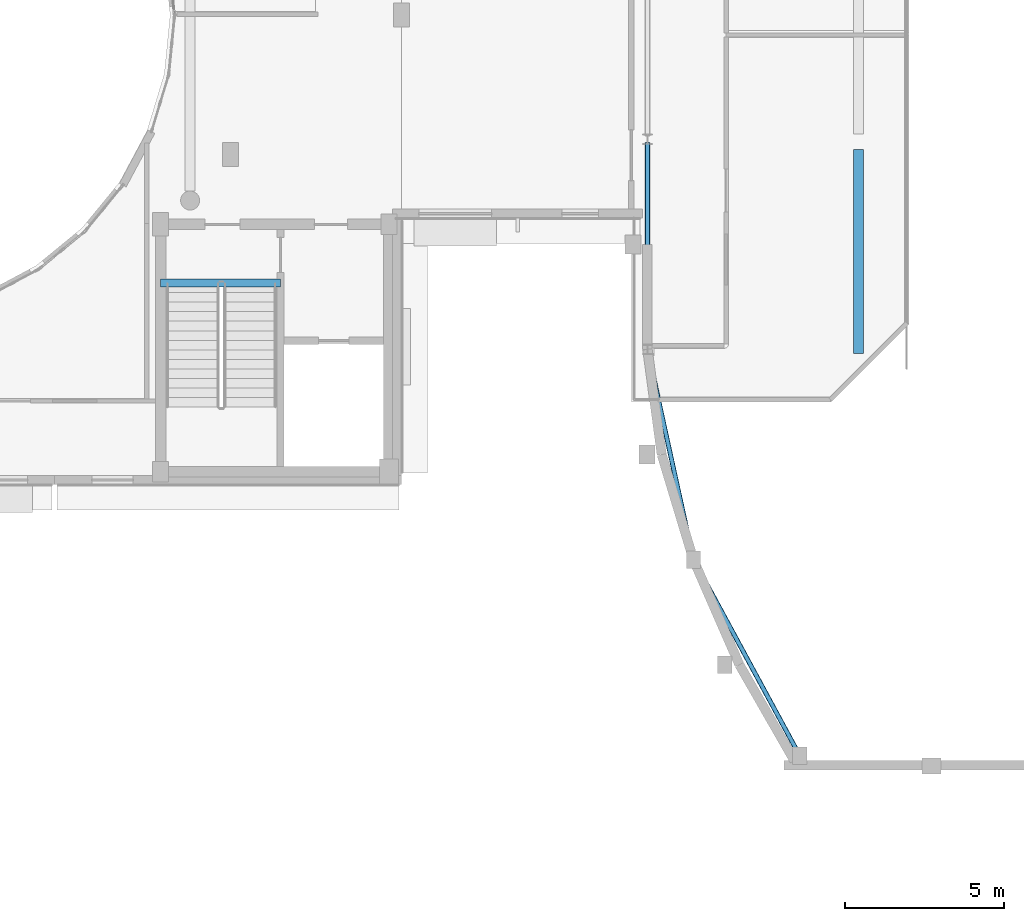
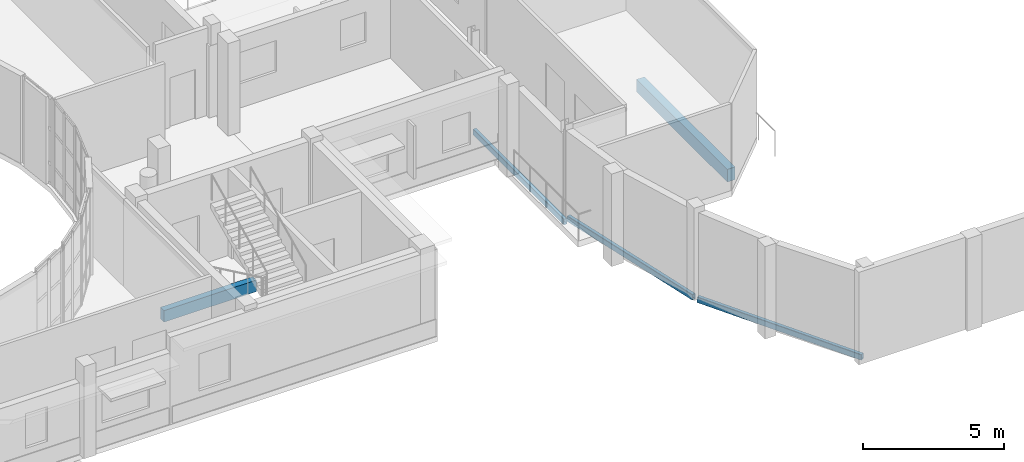
# One storey, part 28 of 92: 5 beams.
"""IFC4 building model written with IfcOpenShell, lengths in metres."""

from ifc_helpers import new_model, si_unit, direction, frame, origin, origin_2d, place, context, subcontext, project, spatial, rectangle, hollow_rectangle, extrude, material, material_profile, profile_set, type_object, element, save


model = new_model("IFC4")

# Units and contexts
model_context = context("Model", 3, precision=1e-05, world=origin(), true_north=direction((0.0, 1.0)))
body_context = subcontext(model_context, "Body", "Model", "MODEL_VIEW")
ifc_project = project(units=[si_unit("LENGTHUNIT", "METRE"), si_unit("AREAUNIT", "SQUARE_METRE"), si_unit("VOLUMEUNIT", "CUBIC_METRE"), si_unit("PLANEANGLEUNIT", "RADIAN"), si_unit("MASSUNIT", "GRAM", prefix="KILO")], contexts=[model_context])

# Site, building, storey
site_placement = place(None, origin())
site = spatial("IfcSite", under=ifc_project, at=site_placement, CompositionType="ELEMENT")
building_placement = place(site_placement, origin())
building = spatial("IfcBuilding", under=site, at=building_placement, Name="Kelanivale Promenade Academy", CompositionType="ELEMENT")
storey_placement = place(building_placement, frame((0.0, 0.0, 8.199951171875)))
storey = spatial("IfcBuildingStorey", under=building, at=storey_placement, Name="L02", CompositionType="ELEMENT", Elevation=8.199951171875)

# Beams
ifc_material_1 = material(Name="Concrete C35/45", Category="concrete")
ifc_material_profile_1 = material_profile(ifc_material_1, rectangle(XDim=0.320068359375, YDim=0.550048828125, at=origin_2d()), Name="RC-BM 320x550")
ifc_profile_set_1 = profile_set([ifc_material_profile_1], Name="Concrete C35/45")
beam_type_1 = type_object("IfcBeamType", Name="JS-04 RC-BM 320x550", PredefinedType="JOIST", material=ifc_profile_set_1)
beam_1_placement = place(storey_placement, frame((130.0, 46.1201171875, -0.5400390625), z_axis=(0.0, 1.0, 0.0), x_axis=(-1.0, 0.0, 0.0)))
element("IfcBeam", 1, at=beam_1_placement, inside=storey, type_object=beam_type_1, Name="L02 beam JS-04", PredefinedType="JOIST", context=body_context, shape_type="SweptSolid", body=[
    extrude(rectangle(XDim=0.320068359375, YDim=0.550048828125, at=origin_2d()), origin(), (0.0, 0.0, 1.0), 6.434814453125),
])
ifc_material_profile_2 = material_profile(ifc_material_1, rectangle(XDim=0.25, YDim=0.5, at=origin_2d()), Name="RC-BM 250x500")
ifc_profile_set_2 = profile_set([ifc_material_profile_2], Name="Concrete C35/45")
beam_type_2 = type_object("IfcBeamType", Name="LN-02 RC-BM 250x500", PredefinedType="LINTEL", material=ifc_profile_set_2)
beam_2_placement = place(storey_placement, frame((108.0, 48.344970703125, -0.25), z_axis=(1.0, 0.0, 0.0), x_axis=(0.0, 1.0, 0.0)))
element("IfcBeam", 2, at=beam_2_placement, inside=storey, type_object=beam_type_2, Name="CORE-3 stair arrival trimmer beam L02", PredefinedType="LINTEL", context=body_context, shape_type="SweptSolid", body=[
    extrude(rectangle(XDim=0.25, YDim=0.5, at=origin_2d()), origin(), (0.0, 0.0, 1.0), 3.77490234375),
])
ifc_material_2 = material(Name="Steel S355", Category="steel")
ifc_material_profile_3 = material_profile(ifc_material_2, hollow_rectangle(XDim=0.14990234375, YDim=0.25, WallThickness=0.010009765625, InnerFilletRadius=0.010009765625, OuterFilletRadius=0.02001953125, at=origin_2d()), Name="RHS 250x150x10.0")
ifc_profile_set_3 = profile_set([ifc_material_profile_3], Name="Steel S355")
beam_type_3 = type_object("IfcBeamType", Name="SB-13 RHS 250x150x10.0", PredefinedType="SPANDREL", material=ifc_profile_set_3)
beam_3_placement = place(storey_placement, frame((128.10205078125, 33.5380859375, -0.125), z_axis=(-0.476573382947, 0.879134694268, 0.0), x_axis=(-0.879134694268, -0.476573382947, 0.0)))
element("IfcBeam", 3, at=beam_3_placement, inside=storey, type_object=beam_type_3, Name="Assembly Hall Arc Pavilion inner kidney ring beam SB-13", PredefinedType="SPANDREL", context=body_context, shape_type="SweptSolid", body=[
    extrude(hollow_rectangle(XDim=0.14990234375, YDim=0.25, WallThickness=0.010009765625, InnerFilletRadius=0.010009765625, OuterFilletRadius=0.02001953125, at=origin_2d()), origin(), (0.0, 0.0, 1.0), 6.828125),
])
beam_4_placement = place(storey_placement, frame((124.779052734375, 39.72705078125, -0.125), z_axis=(-0.213839528573, 0.976868801846, 0.0), x_axis=(-0.976868801846, -0.213839528573, 0.0)))
element("IfcBeam", 4, at=beam_4_placement, inside=storey, type_object=beam_type_3, Name="Assembly Hall Arc Pavilion inner kidney ring beam SB-13", PredefinedType="SPANDREL", context=body_context, shape_type="SweptSolid", body=[
    extrude(hollow_rectangle(XDim=0.14990234375, YDim=0.25, WallThickness=0.010009765625, InnerFilletRadius=0.010009765625, OuterFilletRadius=0.02001953125, at=origin_2d()), origin(), (0.0, 0.0, 1.0), 6.584228515625),
])
beam_5_placement = place(storey_placement, frame((123.35009765625, 46.35693359375, -0.389892578125), z_axis=(0.0, 1.0, 0.0), x_axis=(-1.0, 0.0, 0.0)))
element("IfcBeam", 5, at=beam_5_placement, inside=storey, type_object=beam_type_3, Name="Assembly Hall Arc Pavilion inner kidney ring beam SB-13", PredefinedType="SPANDREL", context=body_context, shape_type="SweptSolid", body=[
    extrude(hollow_rectangle(XDim=0.14990234375, YDim=0.25, WallThickness=0.010009765625, InnerFilletRadius=0.010009765625, OuterFilletRadius=0.02001953125, at=origin_2d()), origin(), (0.0, 0.0, 1.0), 6.428955078125),
])

save(model, "model.ifc")
